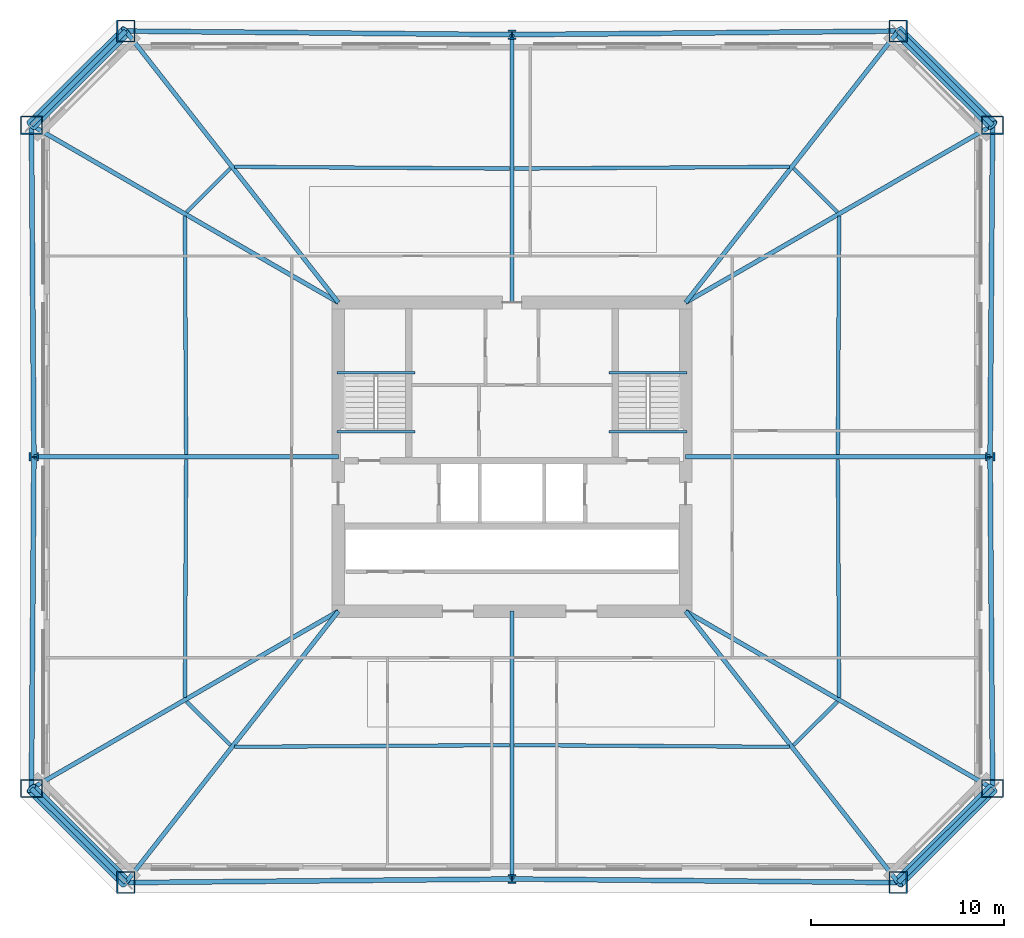
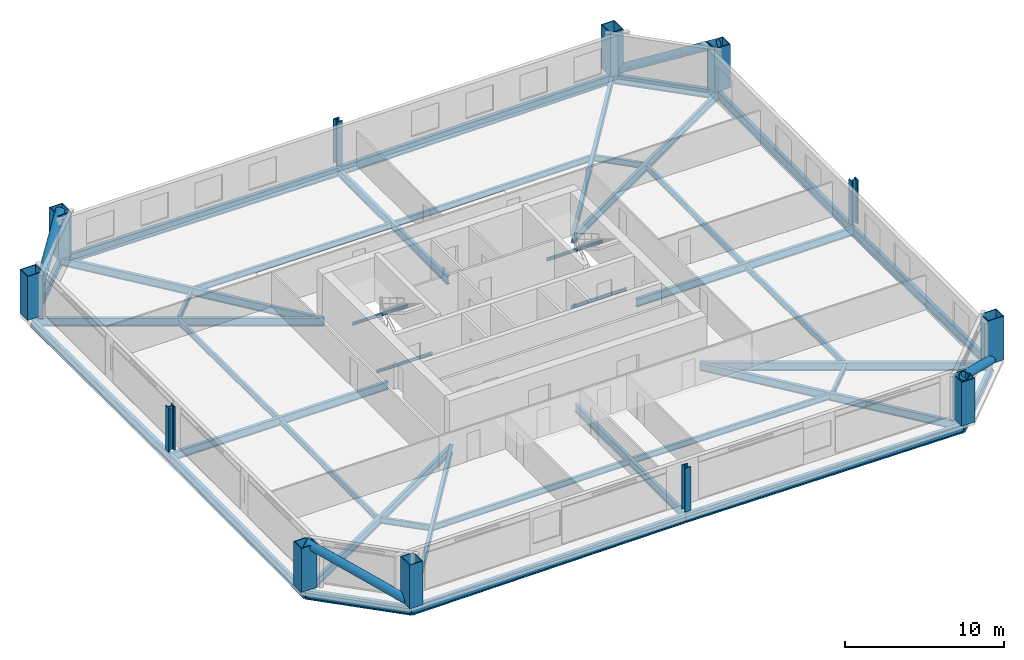
# One storey, part 1 of 9: 40 beams, 12 columns, 4 members.
"""IFC4 building model written with IfcOpenShell, lengths in metres."""

from ifc_helpers import new_model, si_unit, direction, frame, origin, origin_2d, place, context, subcontext, project, spatial, hollow_rectangle, hollow_circle, i_section, extrude, material, material_profile, profile_set, type_object, element, save


model = new_model("IFC4")

# Units and contexts
model_context = context("Model", 3, precision=1e-05, world=origin(), true_north=direction((0.0, 1.0)))
body_context = subcontext(model_context, "Body", "Model", "MODEL_VIEW")
ifc_project = project(units=[si_unit("LENGTHUNIT", "METRE"), si_unit("AREAUNIT", "SQUARE_METRE"), si_unit("VOLUMEUNIT", "CUBIC_METRE"), si_unit("PLANEANGLEUNIT", "RADIAN"), si_unit("MASSUNIT", "GRAM", prefix="KILO")], contexts=[model_context])

# Site, building, storey
site_placement = place(None, origin())
site = spatial("IfcSite", under=ifc_project, at=site_placement, CompositionType="ELEMENT")
building_placement = place(site_placement, origin())
building = spatial("IfcBuilding", under=site, at=building_placement, Name="Caelvoria Tower", CompositionType="ELEMENT")
storey_placement = place(building_placement, frame((0.0, 0.0, 53.199951171875)))
storey = spatial("IfcBuildingStorey", under=building, at=storey_placement, Name="L13", CompositionType="ELEMENT", Elevation=53.199951171875)

# Columns
ifc_material_1 = material(Name="Structural Steel ASTM A913 Gr.65", Category="steel")
ifc_material_profile_1 = material_profile(ifc_material_1, i_section(OverallWidth=0.427978515625, OverallDepth=0.48291015625, WebThickness=0.050537109375, FlangeThickness=0.08154296875, FilletRadius=0.02490234375, at=origin_2d()), Name="Structural Steel ASTM A913 Gr.65")
ifc_profile_set_1 = profile_set([ifc_material_profile_1], Name="W360X677 - Structural Steel ASTM A913 Gr.65")
column_type_1 = type_object("IfcColumnType", Name="Heavy Frame Column W360X677", PredefinedType="COLUMN", material=ifc_profile_set_1)
for number, where, z_axis, x_axis, name in (
    (1, (46.0, 10.1201171875, 0.0), (0.0, 0.0, 1.0), (1.0, 0.0, 0.0), "Perimeter Megaframe Column L13-P01"),
    (2, (70.780029296875, 32.0, 0.0), (0.0, 0.0, 1.0), (0.0, 1.0, 0.0), "Perimeter Megaframe Column L13-P04"),
    (3, (46.0, 53.8798828125, 0.0), (0.0, 0.0, 1.0), (1.0, 0.0, 0.0), "Perimeter Megaframe Column L13-P07"),
    (4, (21.219970703125, 32.0, 0.0), (0.0, 0.0, 1.0), (0.0, 1.0, 0.0), "Perimeter Megaframe Column L13-P10"),
):
    element("IfcColumn", number, at=place(storey_placement, frame(where, z_axis=z_axis, x_axis=x_axis)), inside=storey, type_object=column_type_1, Name=name, PredefinedType="COLUMN", context=body_context, shape_type="SweptSolid", body=[
        extrude(i_section(OverallWidth=0.427978515625, OverallDepth=0.48291015625, WebThickness=0.050537109375, FlangeThickness=0.08154296875, FilletRadius=0.02490234375, at=origin_2d()), origin(), (0.0, 0.0, 1.0), 3.358154296875),
    ])
ifc_material_2 = material(Name="Structural Steel ASTM A572 Gr.50", Category="steel")
ifc_material_profile_2 = material_profile(ifc_material_2, hollow_rectangle(XDim=0.949951171875, YDim=1.14990234375, WallThickness=0.06005859375, at=origin_2d()), Name="Structural Steel ASTM A572 Gr.50")
ifc_profile_set_2 = profile_set([ifc_material_profile_2], Name="BOX1150X950X60 - Structural Steel ASTM A572 Gr.50")
column_type_2 = type_object("IfcColumnType", Name="Mega Box Column 1150x950x60", PredefinedType="COLUMN", material=ifc_profile_set_2)
for number, where, z_axis, x_axis, name in (
    (5, (25.983642578125, 9.933349609375, 0.0), (0.0, 0.0, 1.0), (1.0, 0.0, 0.0), "Perimeter Megaframe Column L13-P00"),
    (6, (66.016357421875, 9.933349609375, 0.0), (0.0, 0.0, 1.0), (1.0, 0.0, 0.0), "Perimeter Megaframe Column L13-P02"),
    (7, (70.907470703125, 14.80908203125, 0.0), (0.0, 0.0, 1.0), (0.0, 1.0, 0.0), "Perimeter Megaframe Column L13-P03"),
    (8, (70.907470703125, 49.19091796875, 0.0), (0.0, 0.0, 1.0), (0.0, 1.0, 0.0), "Perimeter Megaframe Column L13-P05"),
    (9, (66.016357421875, 54.066650390625, 0.0), (0.0, 0.0, 1.0), (1.0, 0.0, 0.0), "Perimeter Megaframe Column L13-P06"),
    (10, (25.983642578125, 54.066650390625, 0.0), (0.0, 0.0, 1.0), (1.0, 0.0, 0.0), "Perimeter Megaframe Column L13-P08"),
    (11, (21.092529296875, 49.19091796875, 0.0), (0.0, 0.0, 1.0), (0.0, 1.0, 0.0), "Perimeter Megaframe Column L13-P09"),
    (12, (21.092529296875, 14.80908203125, 0.0), (0.0, 0.0, 1.0), (0.0, 1.0, 0.0), "Perimeter Megaframe Column L13-P11"),
):
    element("IfcColumn", number, at=place(storey_placement, frame(where, z_axis=z_axis, x_axis=x_axis)), inside=storey, type_object=column_type_2, Name=name, PredefinedType="COLUMN", context=body_context, shape_type="SweptSolid", body=[
        extrude(hollow_rectangle(XDim=0.949951171875, YDim=1.14990234375, WallThickness=0.06005859375, at=origin_2d()), origin(), (0.0, 0.0, 1.0), 3.358154296875),
    ])

# Beams
ifc_material_3 = material(Name="Structural Steel ASTM A992 Gr.50", Category="steel")
ifc_material_profile_3 = material_profile(ifc_material_3, i_section(OverallWidth=0.134033203125, OverallDepth=0.2099609375, WebThickness=0.00634765625, FlangeThickness=0.01025390625, FilletRadius=0.010009765625, at=origin_2d()), Name="Structural Steel ASTM A992 Gr.50")
ifc_profile_set_3 = profile_set([ifc_material_profile_3], Name="W200X31.3 - Structural Steel ASTM A992 Gr.50")
beam_type_1 = type_object("IfcBeamType", Name="Canopy Edge Trim Beam W200X31.3", PredefinedType="BEAM", material=ifc_profile_set_3)
for number, where, z_axis, x_axis, name in (
    (13, (36.929931640625, 36.35009765625, 1.4951171875), (1.0, 0.0, 0.0), (0.0, 1.0, 0.0), "ST-01 Half-Landing Support Beam L13"),
    (14, (36.929931640625, 33.300048828125, -0.304931640625), (1.0, 0.0, 0.0), (0.0, 1.0, 0.0), "ST-01 Floor-Landing Support Beam L13"),
    (15, (51.030029296875, 36.35009765625, 1.4951171875), (1.0, 0.0, 0.0), (0.0, 1.0, 0.0), "ST-02 Half-Landing Support Beam L13"),
    (16, (51.030029296875, 33.300048828125, -0.304931640625), (1.0, 0.0, 0.0), (0.0, 1.0, 0.0), "ST-02 Floor-Landing Support Beam L13"),
):
    element("IfcBeam", number, at=place(storey_placement, frame(where, z_axis=z_axis, x_axis=x_axis)), inside=storey, type_object=beam_type_1, Name=name, PredefinedType="BEAM", context=body_context, shape_type="SweptSolid", body=[
        extrude(i_section(OverallWidth=0.134033203125, OverallDepth=0.2099609375, WebThickness=0.00634765625, FlangeThickness=0.01025390625, FilletRadius=0.010009765625, at=origin_2d()), origin(), (0.0, 0.0, 1.0), 4.0400390625),
    ])

# Members
ifc_material_profile_4 = material_profile(ifc_material_2, hollow_circle(Radius=0.304931640625, WallThickness=0.02490234375, at=origin_2d()), Name="Structural Steel ASTM A572 Gr.50")
ifc_profile_set_4 = profile_set([ifc_material_profile_4], Name="CHS610X25 - Structural Steel ASTM A572 Gr.50")
member_type = type_object("IfcMemberType", Name="Lower Perimeter Mega Brace CHS610X25", PredefinedType="BRACE", material=ifc_profile_set_4)
for number, where, z_axis, x_axis, name in (
    (17, (70.907470703125, 14.80908203125, 0.0), (-0.636843854585, -0.634841200954, 0.437500347941), (0.705992351769, -0.708219456979, 0.0), "Perimeter Chamfer Mega Brace L13 SE"),
    (18, (66.016357421875, 54.066650390625, 0.0), (0.636843854585, -0.634841200954, 0.437500347941), (0.705992351769, 0.708219456979, 0.0), "Perimeter Chamfer Mega Brace L13 NE"),
    (19, (21.092529296875, 49.19091796875, 0.0), (0.636843854585, 0.634841200954, 0.437500347941), (-0.705992351769, 0.708219456979, 0.0), "Perimeter Chamfer Mega Brace L13 NW"),
    (20, (25.983642578125, 9.933349609375, 0.0), (-0.636843854585, 0.634841200954, 0.437500347941), (-0.705992351769, -0.708219456979, 0.0), "Perimeter Chamfer Mega Brace L13 SW"),
):
    element("IfcMember", number, at=place(storey_placement, frame(where, z_axis=z_axis, x_axis=x_axis)), inside=storey, type_object=member_type, Name=name, PredefinedType="BRACE", context=body_context, shape_type="SweptSolid", body=[
        extrude(hollow_circle(Radius=0.304931640625, WallThickness=0.02490234375, at=origin_2d()), origin(), (0.0, 0.0, 1.0), 7.68017578125),
    ])

# Beams
ifc_material_profile_5 = material_profile(ifc_material_3, i_section(OverallWidth=0.25390625, OverallDepth=0.68798828125, WebThickness=0.01318359375, FlangeThickness=0.02099609375, FilletRadius=0.01904296875, at=origin_2d()), Name="Structural Steel ASTM A992 Gr.50")
ifc_profile_set_5 = profile_set([ifc_material_profile_5], Name="W690X152 - Structural Steel ASTM A992 Gr.50")
beam_type_2 = type_object("IfcBeamType", Name="Perimeter Spandrel Girder W690X152", PredefinedType="BEAM", material=ifc_profile_set_5)
for number, where, z_axis, x_axis, name in (
    (21, (25.983642578125, 9.933349609375, -0.583984375), (0.999956471417, 0.009330341403, 0.0), (-0.009330341403, 0.999956471417, 0.0), "Perimeter Spandrel Girder L13-00"),
    (22, (46.0, 10.1201171875, -0.583984375), (0.999956471417, -0.009330341403, 0.0), (0.009330341403, 0.999956471417, 0.0), "Perimeter Spandrel Girder L13-01"),
):
    element("IfcBeam", number, at=place(storey_placement, frame(where, z_axis=z_axis, x_axis=x_axis)), inside=storey, type_object=beam_type_2, Name=name, PredefinedType="BEAM", context=body_context, shape_type="SweptSolid", body=[
        extrude(i_section(OverallWidth=0.25390625, OverallDepth=0.68798828125, WebThickness=0.01318359375, FlangeThickness=0.02099609375, FilletRadius=0.01904296875, at=origin_2d()), origin(), (0.0, 0.0, 1.0), 20.017333984375),
    ])
beam_1_placement = place(storey_placement, frame((66.016357421875, 9.933349609375, -0.583984375), z_axis=(0.708219456979, 0.705992351769, 0.0), x_axis=(-0.705992351769, 0.708219456979, 0.0)))
element("IfcBeam", 23, at=beam_1_placement, inside=storey, type_object=beam_type_2, Name="Perimeter Spandrel Girder L13-02", PredefinedType="BEAM", context=body_context, shape_type="SweptSolid", body=[
    extrude(i_section(OverallWidth=0.25390625, OverallDepth=0.68798828125, WebThickness=0.01318359375, FlangeThickness=0.02099609375, FilletRadius=0.01904296875, at=origin_2d()), origin(), (0.0, 0.0, 1.0), 6.90625),
])
for number, where, z_axis, x_axis, name in (
    (24, (70.907470703125, 14.80908203125, -0.583984375), (-0.007413094794, 0.999972522635, 0.0), (-0.999972522635, -0.007413094794, 0.0), "Perimeter Spandrel Girder L13-03"),
    (25, (70.780029296875, 32.0, -0.583984375), (0.007413094794, 0.999972522635, 0.0), (-0.999972522635, 0.007413094794, 0.0), "Perimeter Spandrel Girder L13-04"),
):
    element("IfcBeam", number, at=place(storey_placement, frame(where, z_axis=z_axis, x_axis=x_axis)), inside=storey, type_object=beam_type_2, Name=name, PredefinedType="BEAM", context=body_context, shape_type="SweptSolid", body=[
        extrude(i_section(OverallWidth=0.25390625, OverallDepth=0.68798828125, WebThickness=0.01318359375, FlangeThickness=0.02099609375, FilletRadius=0.01904296875, at=origin_2d()), origin(), (0.0, 0.0, 1.0), 17.19140625),
    ])
beam_2_placement = place(storey_placement, frame((70.907470703125, 49.19091796875, -0.583984375), z_axis=(-0.708219456979, 0.705992351769, 0.0), x_axis=(-0.705992351769, -0.708219456979, 0.0)))
element("IfcBeam", 26, at=beam_2_placement, inside=storey, type_object=beam_type_2, Name="Perimeter Spandrel Girder L13-05", PredefinedType="BEAM", context=body_context, shape_type="SweptSolid", body=[
    extrude(i_section(OverallWidth=0.25390625, OverallDepth=0.68798828125, WebThickness=0.01318359375, FlangeThickness=0.02099609375, FilletRadius=0.01904296875, at=origin_2d()), origin(), (0.0, 0.0, 1.0), 6.90625),
])
for number, where, z_axis, x_axis, name in (
    (27, (66.016357421875, 54.066650390625, -0.583984375), (-0.999956471417, -0.009330341403, 0.0), (0.009330341403, -0.999956471417, 0.0), "Perimeter Spandrel Girder L13-06"),
    (28, (46.0, 53.8798828125, -0.583984375), (-0.999956471417, 0.009330341403, 0.0), (-0.009330341403, -0.999956471417, 0.0), "Perimeter Spandrel Girder L13-07"),
):
    element("IfcBeam", number, at=place(storey_placement, frame(where, z_axis=z_axis, x_axis=x_axis)), inside=storey, type_object=beam_type_2, Name=name, PredefinedType="BEAM", context=body_context, shape_type="SweptSolid", body=[
        extrude(i_section(OverallWidth=0.25390625, OverallDepth=0.68798828125, WebThickness=0.01318359375, FlangeThickness=0.02099609375, FilletRadius=0.01904296875, at=origin_2d()), origin(), (0.0, 0.0, 1.0), 20.017333984375),
    ])
beam_3_placement = place(storey_placement, frame((25.983642578125, 54.066650390625, -0.583984375), z_axis=(-0.708219456979, -0.705992351769, 0.0), x_axis=(0.705992351769, -0.708219456979, 0.0)))
element("IfcBeam", 29, at=beam_3_placement, inside=storey, type_object=beam_type_2, Name="Perimeter Spandrel Girder L13-08", PredefinedType="BEAM", context=body_context, shape_type="SweptSolid", body=[
    extrude(i_section(OverallWidth=0.25390625, OverallDepth=0.68798828125, WebThickness=0.01318359375, FlangeThickness=0.02099609375, FilletRadius=0.01904296875, at=origin_2d()), origin(), (0.0, 0.0, 1.0), 6.90625),
])
for number, where, z_axis, x_axis, name in (
    (30, (21.092529296875, 49.19091796875, -0.583984375), (0.007413094794, -0.999972522635, 0.0), (0.999972522635, 0.007413094794, 0.0), "Perimeter Spandrel Girder L13-09"),
    (31, (21.219970703125, 32.0, -0.583984375), (-0.007413094794, -0.999972522635, 0.0), (0.999972522635, -0.007413094794, 0.0), "Perimeter Spandrel Girder L13-10"),
):
    element("IfcBeam", number, at=place(storey_placement, frame(where, z_axis=z_axis, x_axis=x_axis)), inside=storey, type_object=beam_type_2, Name=name, PredefinedType="BEAM", context=body_context, shape_type="SweptSolid", body=[
        extrude(i_section(OverallWidth=0.25390625, OverallDepth=0.68798828125, WebThickness=0.01318359375, FlangeThickness=0.02099609375, FilletRadius=0.01904296875, at=origin_2d()), origin(), (0.0, 0.0, 1.0), 17.19140625),
    ])
beam_4_placement = place(storey_placement, frame((21.092529296875, 14.80908203125, -0.583984375), z_axis=(0.708219456979, -0.705992351769, 0.0), x_axis=(0.705992351769, 0.708219456979, 0.0)))
element("IfcBeam", 32, at=beam_4_placement, inside=storey, type_object=beam_type_2, Name="Perimeter Spandrel Girder L13-11", PredefinedType="BEAM", context=body_context, shape_type="SweptSolid", body=[
    extrude(i_section(OverallWidth=0.25390625, OverallDepth=0.68798828125, WebThickness=0.01318359375, FlangeThickness=0.02099609375, FilletRadius=0.01904296875, at=origin_2d()), origin(), (0.0, 0.0, 1.0), 6.90625),
])
ifc_material_profile_6 = material_profile(ifc_material_3, i_section(OverallWidth=0.22900390625, OverallDepth=0.612060546875, WebThickness=0.011962890625, FlangeThickness=0.01953125, FilletRadius=0.01806640625, at=origin_2d()), Name="Structural Steel ASTM A992 Gr.50")
ifc_profile_set_6 = profile_set([ifc_material_profile_6], Name="W610X125 - Structural Steel ASTM A992 Gr.50")
beam_type_3 = type_object("IfcBeamType", Name="Primary Radial Floor Girder W610X125", PredefinedType="BEAM", material=ifc_profile_set_6)
beam_5_placement = place(storey_placement, frame((37.0, 24.0, -0.5458984375), z_axis=(-0.616574608336, -0.787296483134, 0.0), x_axis=(0.787296483134, -0.616574608336, 0.0)))
element("IfcBeam", 33, at=beam_5_placement, inside=storey, type_object=beam_type_3, Name="Primary Floor Girder L13-00", PredefinedType="BEAM", context=body_context, shape_type="SweptSolid", body=[
    extrude(i_section(OverallWidth=0.22900390625, OverallDepth=0.612060546875, WebThickness=0.011962890625, FlangeThickness=0.01953125, FilletRadius=0.01806640625, at=origin_2d()), origin(), (0.0, 0.0, 1.0), 17.866943359375),
])
beam_6_placement = place(storey_placement, frame((46.0, 24.0, -0.5458984375), z_axis=(0.0, -1.0, 0.0), x_axis=(1.0, 0.0, 0.0)))
element("IfcBeam", 34, at=beam_6_placement, inside=storey, type_object=beam_type_3, Name="Primary Floor Girder L13-01", PredefinedType="BEAM", context=body_context, shape_type="SweptSolid", body=[
    extrude(i_section(OverallWidth=0.22900390625, OverallDepth=0.612060546875, WebThickness=0.011962890625, FlangeThickness=0.01953125, FilletRadius=0.01806640625, at=origin_2d()), origin(), (0.0, 0.0, 1.0), 13.8798828125),
])
beam_7_placement = place(storey_placement, frame((55.0, 24.0, -0.5458984375), z_axis=(0.616574608336, -0.787296483134, 0.0), x_axis=(0.787296483134, 0.616574608336, 0.0)))
element("IfcBeam", 35, at=beam_7_placement, inside=storey, type_object=beam_type_3, Name="Primary Floor Girder L13-02", PredefinedType="BEAM", context=body_context, shape_type="SweptSolid", body=[
    extrude(i_section(OverallWidth=0.22900390625, OverallDepth=0.612060546875, WebThickness=0.011962890625, FlangeThickness=0.01953125, FilletRadius=0.01806640625, at=origin_2d()), origin(), (0.0, 0.0, 1.0), 17.866943359375),
])
beam_8_placement = place(storey_placement, frame((55.0, 24.0, -0.5458984375), z_axis=(0.865866608281, -0.500274941071, 0.0), x_axis=(0.500274941071, 0.865866608281, 0.0)))
element("IfcBeam", 36, at=beam_8_placement, inside=storey, type_object=beam_type_3, Name="Primary Floor Girder L13-03", PredefinedType="BEAM", context=body_context, shape_type="SweptSolid", body=[
    extrude(i_section(OverallWidth=0.22900390625, OverallDepth=0.612060546875, WebThickness=0.011962890625, FlangeThickness=0.01953125, FilletRadius=0.01806640625, at=origin_2d()), origin(), (0.0, 0.0, 1.0), 18.371826171875),
])
beam_9_placement = place(storey_placement, frame((55.0, 32.0, -0.5458984375), z_axis=(1.0, 0.0, 0.0), x_axis=(0.0, 1.0, 0.0)))
element("IfcBeam", 37, at=beam_9_placement, inside=storey, type_object=beam_type_3, Name="Primary Floor Girder L13-04", PredefinedType="BEAM", context=body_context, shape_type="SweptSolid", body=[
    extrude(i_section(OverallWidth=0.22900390625, OverallDepth=0.612060546875, WebThickness=0.011962890625, FlangeThickness=0.01953125, FilletRadius=0.01806640625, at=origin_2d()), origin(), (0.0, 0.0, 1.0), 15.780029296875),
])
beam_10_placement = place(storey_placement, frame((55.0, 40.0, -0.5458984375), z_axis=(0.865866608281, 0.500274941071, 0.0), x_axis=(-0.500274941071, 0.865866608281, 0.0)))
element("IfcBeam", 38, at=beam_10_placement, inside=storey, type_object=beam_type_3, Name="Primary Floor Girder L13-05", PredefinedType="BEAM", context=body_context, shape_type="SweptSolid", body=[
    extrude(i_section(OverallWidth=0.22900390625, OverallDepth=0.612060546875, WebThickness=0.011962890625, FlangeThickness=0.01953125, FilletRadius=0.01806640625, at=origin_2d()), origin(), (0.0, 0.0, 1.0), 18.371826171875),
])
beam_11_placement = place(storey_placement, frame((55.0, 40.0, -0.5458984375), z_axis=(0.616574608336, 0.787296483134, 0.0), x_axis=(-0.787296483134, 0.616574608336, 0.0)))
element("IfcBeam", 39, at=beam_11_placement, inside=storey, type_object=beam_type_3, Name="Primary Floor Girder L13-06", PredefinedType="BEAM", context=body_context, shape_type="SweptSolid", body=[
    extrude(i_section(OverallWidth=0.22900390625, OverallDepth=0.612060546875, WebThickness=0.011962890625, FlangeThickness=0.01953125, FilletRadius=0.01806640625, at=origin_2d()), origin(), (0.0, 0.0, 1.0), 17.866943359375),
])
beam_12_placement = place(storey_placement, frame((46.0, 40.0, -0.5458984375), z_axis=(0.0, 1.0, 0.0), x_axis=(-1.0, 0.0, 0.0)))
element("IfcBeam", 40, at=beam_12_placement, inside=storey, type_object=beam_type_3, Name="Primary Floor Girder L13-07", PredefinedType="BEAM", context=body_context, shape_type="SweptSolid", body=[
    extrude(i_section(OverallWidth=0.22900390625, OverallDepth=0.612060546875, WebThickness=0.011962890625, FlangeThickness=0.01953125, FilletRadius=0.01806640625, at=origin_2d()), origin(), (0.0, 0.0, 1.0), 13.8798828125),
])
beam_13_placement = place(storey_placement, frame((37.0, 40.0, -0.5458984375), z_axis=(-0.616574608336, 0.787296483134, 0.0), x_axis=(-0.787296483134, -0.616574608336, 0.0)))
element("IfcBeam", 41, at=beam_13_placement, inside=storey, type_object=beam_type_3, Name="Primary Floor Girder L13-08", PredefinedType="BEAM", context=body_context, shape_type="SweptSolid", body=[
    extrude(i_section(OverallWidth=0.22900390625, OverallDepth=0.612060546875, WebThickness=0.011962890625, FlangeThickness=0.01953125, FilletRadius=0.01806640625, at=origin_2d()), origin(), (0.0, 0.0, 1.0), 17.866943359375),
])
beam_14_placement = place(storey_placement, frame((37.0, 40.0, -0.5458984375), z_axis=(-0.865866608281, 0.500274941071, 0.0), x_axis=(-0.500274941071, -0.865866608281, 0.0)))
element("IfcBeam", 42, at=beam_14_placement, inside=storey, type_object=beam_type_3, Name="Primary Floor Girder L13-09", PredefinedType="BEAM", context=body_context, shape_type="SweptSolid", body=[
    extrude(i_section(OverallWidth=0.22900390625, OverallDepth=0.612060546875, WebThickness=0.011962890625, FlangeThickness=0.01953125, FilletRadius=0.01806640625, at=origin_2d()), origin(), (0.0, 0.0, 1.0), 18.371826171875),
])
beam_15_placement = place(storey_placement, frame((37.0, 32.0, -0.5458984375), z_axis=(-1.0, 0.0, 0.0), x_axis=(0.0, -1.0, 0.0)))
element("IfcBeam", 43, at=beam_15_placement, inside=storey, type_object=beam_type_3, Name="Primary Floor Girder L13-10", PredefinedType="BEAM", context=body_context, shape_type="SweptSolid", body=[
    extrude(i_section(OverallWidth=0.22900390625, OverallDepth=0.612060546875, WebThickness=0.011962890625, FlangeThickness=0.01953125, FilletRadius=0.01806640625, at=origin_2d()), origin(), (0.0, 0.0, 1.0), 15.780029296875),
])
beam_16_placement = place(storey_placement, frame((37.0, 24.0, -0.5458984375), z_axis=(-0.865866608281, -0.500274941071, 0.0), x_axis=(0.500274941071, -0.865866608281, 0.0)))
element("IfcBeam", 44, at=beam_16_placement, inside=storey, type_object=beam_type_3, Name="Primary Floor Girder L13-11", PredefinedType="BEAM", context=body_context, shape_type="SweptSolid", body=[
    extrude(i_section(OverallWidth=0.22900390625, OverallDepth=0.612060546875, WebThickness=0.011962890625, FlangeThickness=0.01953125, FilletRadius=0.01806640625, at=origin_2d()), origin(), (0.0, 0.0, 1.0), 18.371826171875),
])
ifc_material_profile_7 = material_profile(ifc_material_3, i_section(OverallWidth=0.18994140625, OverallDepth=0.45703125, WebThickness=0.009033203125, FlangeThickness=0.014404296875, FilletRadius=0.014892578125, at=origin_2d()), Name="Structural Steel ASTM A992 Gr.50")
ifc_profile_set_7 = profile_set([ifc_material_profile_7], Name="W460X74 - Structural Steel ASTM A992 Gr.50")
beam_type_4 = type_object("IfcBeamType", Name="Secondary Floor Beam W460X74", PredefinedType="BEAM", material=ifc_profile_set_7)
for number, where, z_axis, x_axis, name in (
    (45, (31.61669921875, 16.967529296875, -0.468505859375), (0.999979385934, 0.006420880616, 0.0), (-0.006420880616, 0.999979385934, 0.0), "Secondary Floor Beam L13-00"),
    (46, (46.125, 17.05908203125, -0.468505859375), (0.999979385934, -0.006420880616, 0.0), (0.006420880616, 0.999979385934, 0.0), "Secondary Floor Beam L13-01"),
):
    element("IfcBeam", number, at=place(storey_placement, frame(where, z_axis=z_axis, x_axis=x_axis)), inside=storey, type_object=beam_type_4, Name=name, PredefinedType="BEAM", context=body_context, shape_type="SweptSolid", body=[
        extrude(i_section(OverallWidth=0.18994140625, OverallDepth=0.45703125, WebThickness=0.009033203125, FlangeThickness=0.014404296875, FilletRadius=0.014892578125, at=origin_2d()), origin(), (0.0, 0.0, 1.0), 14.258544921875),
    ])
beam_17_placement = place(storey_placement, frame((60.5966796875, 17.054931640625, -0.468505859375), z_axis=(0.708211068275, 0.706000766835, 0.0), x_axis=(-0.706000766835, 0.708211068275, 0.0)))
element("IfcBeam", 47, at=beam_17_placement, inside=storey, type_object=beam_type_4, Name="Secondary Floor Beam L13-02", PredefinedType="BEAM", context=body_context, shape_type="SweptSolid", body=[
    extrude(i_section(OverallWidth=0.18994140625, OverallDepth=0.45703125, WebThickness=0.009033203125, FlangeThickness=0.014404296875, FilletRadius=0.014892578125, at=origin_2d()), origin(), (0.0, 0.0, 1.0), 3.203125),
])
for number, where, z_axis, x_axis, name in (
    (48, (62.953125, 19.529541015625, -0.468505859375), (-0.005062525351, 0.999987185336, 0.0), (-0.999987185336, -0.005062525351, 0.0), "Secondary Floor Beam L13-03"),
    (49, (62.890625, 32.125, -0.468505859375), (0.005062525351, 0.999987185336, 0.0), (-0.999987185336, 0.005062525351, 0.0), "Secondary Floor Beam L13-04"),
):
    element("IfcBeam", number, at=place(storey_placement, frame(where, z_axis=z_axis, x_axis=x_axis)), inside=storey, type_object=beam_type_4, Name=name, PredefinedType="BEAM", context=body_context, shape_type="SweptSolid", body=[
        extrude(i_section(OverallWidth=0.18994140625, OverallDepth=0.45703125, WebThickness=0.009033203125, FlangeThickness=0.014404296875, FilletRadius=0.014892578125, at=origin_2d()), origin(), (0.0, 0.0, 1.0), 12.345703125),
    ])
beam_18_placement = place(storey_placement, frame((62.865234375, 44.68359375, -0.468505859375), z_axis=(-0.708211068275, 0.706000766835, 0.0), x_axis=(-0.706000766835, -0.708211068275, 0.0)))
element("IfcBeam", 50, at=beam_18_placement, inside=storey, type_object=beam_type_4, Name="Secondary Floor Beam L13-05", PredefinedType="BEAM", context=body_context, shape_type="SweptSolid", body=[
    extrude(i_section(OverallWidth=0.18994140625, OverallDepth=0.45703125, WebThickness=0.009033203125, FlangeThickness=0.014404296875, FilletRadius=0.014892578125, at=origin_2d()), origin(), (0.0, 0.0, 1.0), 3.203125),
])
for number, where, z_axis, x_axis, name in (
    (51, (60.38330078125, 47.032470703125, -0.468505859375), (-0.999979385934, -0.006420880616, 0.0), (0.006420880616, -0.999979385934, 0.0), "Secondary Floor Beam L13-06"),
    (52, (45.875, 46.94091796875, -0.468505859375), (-0.999979385934, 0.006420880616, 0.0), (-0.006420880616, -0.999979385934, 0.0), "Secondary Floor Beam L13-07"),
):
    element("IfcBeam", number, at=place(storey_placement, frame(where, z_axis=z_axis, x_axis=x_axis)), inside=storey, type_object=beam_type_4, Name=name, PredefinedType="BEAM", context=body_context, shape_type="SweptSolid", body=[
        extrude(i_section(OverallWidth=0.18994140625, OverallDepth=0.45703125, WebThickness=0.009033203125, FlangeThickness=0.014404296875, FilletRadius=0.014892578125, at=origin_2d()), origin(), (0.0, 0.0, 1.0), 14.258544921875),
    ])
beam_19_placement = place(storey_placement, frame((31.4033203125, 46.945068359375, -0.468505859375), z_axis=(-0.708211068275, -0.706000766835, 0.0), x_axis=(0.706000766835, -0.708211068275, 0.0)))
element("IfcBeam", 53, at=beam_19_placement, inside=storey, type_object=beam_type_4, Name="Secondary Floor Beam L13-08", PredefinedType="BEAM", context=body_context, shape_type="SweptSolid", body=[
    extrude(i_section(OverallWidth=0.18994140625, OverallDepth=0.45703125, WebThickness=0.009033203125, FlangeThickness=0.014404296875, FilletRadius=0.014892578125, at=origin_2d()), origin(), (0.0, 0.0, 1.0), 3.203125),
])
for number, where, z_axis, x_axis, name in (
    (54, (29.046875, 44.470458984375, -0.468505859375), (0.005062525351, -0.999987185336, 0.0), (0.999987185336, 0.005062525351, 0.0), "Secondary Floor Beam L13-09"),
    (55, (29.109375, 31.875, -0.468505859375), (-0.005062525351, -0.999987185336, 0.0), (0.999987185336, -0.005062525351, 0.0), "Secondary Floor Beam L13-10"),
):
    element("IfcBeam", number, at=place(storey_placement, frame(where, z_axis=z_axis, x_axis=x_axis)), inside=storey, type_object=beam_type_4, Name=name, PredefinedType="BEAM", context=body_context, shape_type="SweptSolid", body=[
        extrude(i_section(OverallWidth=0.18994140625, OverallDepth=0.45703125, WebThickness=0.009033203125, FlangeThickness=0.014404296875, FilletRadius=0.014892578125, at=origin_2d()), origin(), (0.0, 0.0, 1.0), 12.345703125),
    ])
beam_20_placement = place(storey_placement, frame((29.134765625, 19.31640625, -0.468505859375), z_axis=(0.708211068275, -0.706000766835, 0.0), x_axis=(0.706000766835, 0.708211068275, 0.0)))
element("IfcBeam", 56, at=beam_20_placement, inside=storey, type_object=beam_type_4, Name="Secondary Floor Beam L13-11", PredefinedType="BEAM", context=body_context, shape_type="SweptSolid", body=[
    extrude(i_section(OverallWidth=0.18994140625, OverallDepth=0.45703125, WebThickness=0.009033203125, FlangeThickness=0.014404296875, FilletRadius=0.014892578125, at=origin_2d()), origin(), (0.0, 0.0, 1.0), 3.203125),
])

save(model, "model.ifc")
